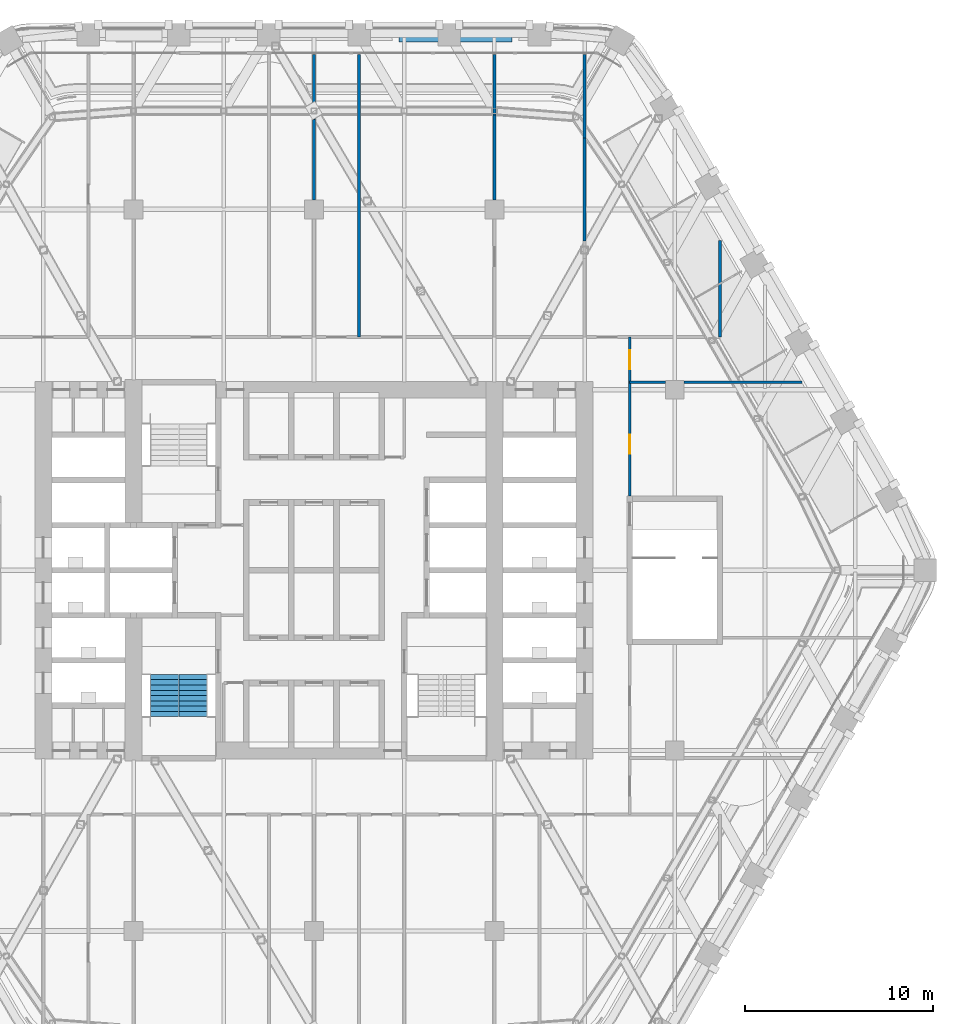
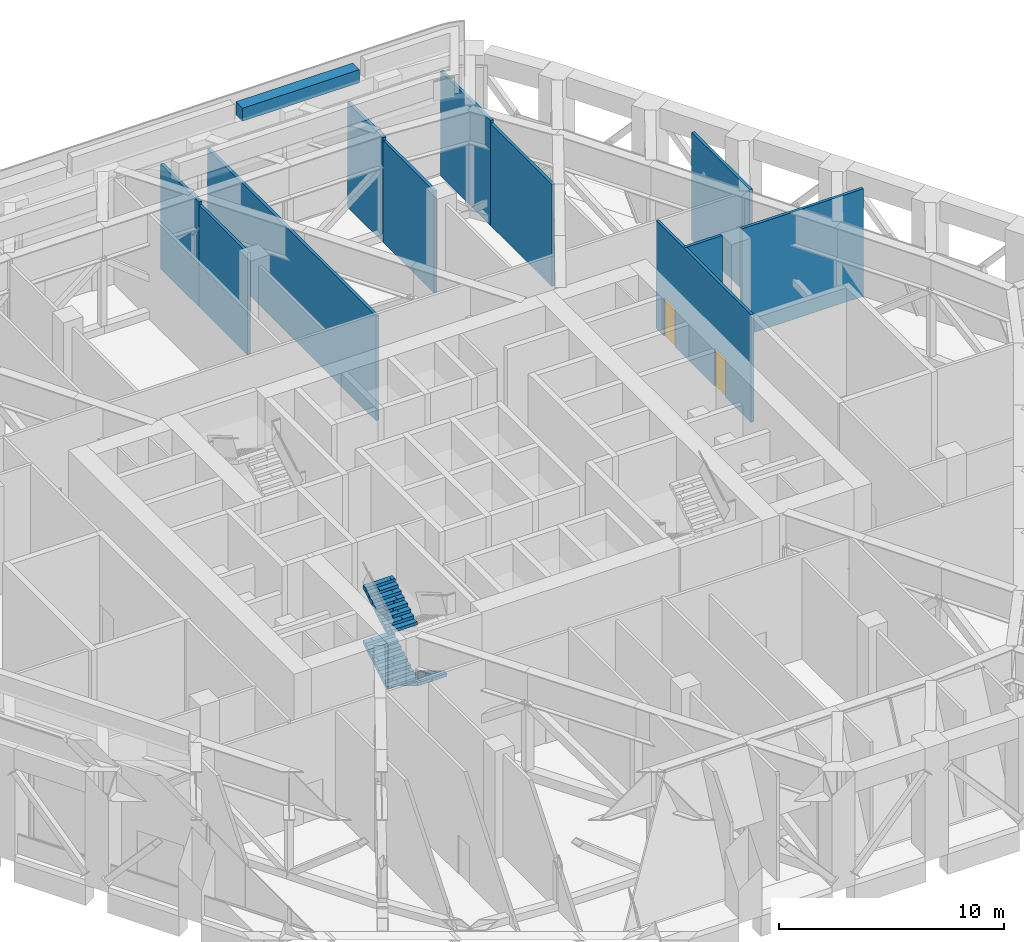
# One storey, part 20 of 27: 12 walls, 3 stair flights, 2 doors, 2 openings, 1 element without a shape of its own.
"""IFC4 building model written with IfcOpenShell, lengths in metres."""

from ifc_helpers import new_model, si_unit, direction, frame, frame_2d, origin, place, context, subcontext, project, spatial, polyline, rectangle, outline, extrude, material, layer, layer_set, type_object, element, fill, aggregate, save


model = new_model("IFC4")

# Units and contexts
model_context = context("Model", 3, precision=1e-05, world=origin(), true_north=direction((0.0, 1.0)))
body_context = subcontext(model_context, "Body", "Model", "MODEL_VIEW")
ifc_project = project(units=[si_unit("LENGTHUNIT", "METRE"), si_unit("AREAUNIT", "SQUARE_METRE"), si_unit("VOLUMEUNIT", "CUBIC_METRE"), si_unit("PLANEANGLEUNIT", "RADIAN"), si_unit("MASSUNIT", "GRAM", prefix="KILO")], contexts=[model_context])

# Site, building, storey
site_placement = place(None, origin())
site = spatial("IfcSite", under=ifc_project, at=site_placement, CompositionType="ELEMENT")
building_placement = place(site_placement, origin())
building = spatial("IfcBuilding", under=site, at=building_placement, Name="Kolab Exchange Tower", CompositionType="ELEMENT")
storey_placement = place(building_placement, frame((0.0, 0.0, 127.39990234375)))
storey = spatial("IfcBuildingStorey", under=building, at=storey_placement, Name="L25", CompositionType="ELEMENT", Elevation=127.39990234375)

# Wall
ifc_material_1 = material(Name="Gypsum board", Category="gypsum")
ifc_layer_1 = layer(ifc_material_1, 0.14990234375)
ifc_layer_set_1 = layer_set([ifc_layer_1], Name="Gypsum board")
wall_type_1 = type_object("IfcWallType", Name="PARTITION 150 FIRE-RATED", PredefinedType="PARTITIONING", material=ifc_layer_set_1)
wall_1_placement = place(storey_placement, frame((21.60009765625, 12.39990234375, 0.0), z_axis=(0.0, 0.0, 1.0), x_axis=(0.0, 1.0, 0.0)))
element("IfcWall", 1, at=wall_1_placement, inside=storey, type_object=wall_type_1, Name="Partition 001", PredefinedType="PARTITIONING", context=body_context, shape_type="SweptSolid", body=[
    extrude(rectangle(XDim=5.144775390625, YDim=0.14990234375, at=frame_2d((2.572265625, 0.0))), origin(), (0.0, 0.0, 1.0), 5.85009765625),
])

# Wall, openings, doors
wall_2_placement = place(storey_placement, frame((16.800048828125, 3.949951171875, 0.0), z_axis=(0.0, 0.0, 1.0), x_axis=(0.0, 1.0, 0.0)))
wall_2 = element("IfcWall", 2, at=wall_2_placement, inside=storey, type_object=wall_type_1, Name="Partition 003", PredefinedType="PARTITIONING", context=body_context, shape_type="SweptSolid", body=[
    extrude(rectangle(XDim=8.449951171875, YDim=0.14990234375, at=frame_2d((4.22509765625, 0.0))), origin(), (0.0, 0.0, 1.0), 5.85009765625),
])
opening_1_placement = place(wall_2_placement, frame((2.25, 0.0, 0.0)))
opening_1 = element("IfcOpeningElement", 3, at=opening_1_placement, cuts=wall_2, Name="Opening D1-378", PredefinedType="OPENING", context=body_context, shape_type="SweptSolid", body=[
    extrude(rectangle(XDim=1.0, YDim=2.10009765625, at=frame_2d((0.5, 1.050048828125))), frame((0.0, 0.0849609375, 0.0), z_axis=(0.0, -1.0, 0.0), x_axis=(1.0, 0.0, 0.0)), (0.0, 0.0, 1.0), 0.169921875),
])
opening_2_placement = place(wall_2_placement, frame((6.75, 0.0, 0.0)))
opening_2 = element("IfcOpeningElement", 4, at=opening_2_placement, cuts=wall_2, Name="Opening D1-379", PredefinedType="OPENING", context=body_context, shape_type="SweptSolid", body=[
    extrude(rectangle(XDim=1.0, YDim=2.10009765625, at=frame_2d((0.5, 1.050048828125))), frame((0.0, 0.0849609375, 0.0), z_axis=(0.0, -1.0, 0.0), x_axis=(1.0, 0.0, 0.0)), (0.0, 0.0, 1.0), 0.169921875),
])
ifc_material_2 = material(Name="Steel S235", Category="steel")
door_type = type_object("IfcDoorType", Name="FLUSH DOOR 1000 FD60", OperationType="SINGLE_SWING_LEFT", PredefinedType="DOOR", material=ifc_material_2)
door_1_placement = place(opening_1_placement, frame((1.0, 0.0, 0.0), z_axis=(0.0, 0.0, 1.0), x_axis=(-1.0, 0.0, 0.0)))
door_1 = element("IfcDoor", 5, at=door_1_placement, inside=storey, type_object=door_type, Name="Door L25-071", OperationType="SINGLE_SWING_LEFT", OverallHeight=2.10009765625, OverallWidth=1.0, PredefinedType="DOOR", context=body_context, shape_type="SweptSolid", body=[
    extrude(rectangle(XDim=1.0, YDim=2.10009765625, at=frame_2d((0.5, 1.050048828125))), frame((0.0, 0.02490234375, 0.0), z_axis=(0.0, -1.0, 0.0), x_axis=(1.0, 0.0, 0.0)), (0.0, 0.0, 1.0), 0.050048828125),
])
fill(opening_1, door_1)
door_2_placement = place(opening_2_placement, frame((1.0, 0.0, 0.0), z_axis=(0.0, 0.0, 1.0), x_axis=(-1.0, 0.0, 0.0)))
door_2 = element("IfcDoor", 6, at=door_2_placement, inside=storey, type_object=door_type, Name="Door L25-072", OperationType="SINGLE_SWING_LEFT", OverallHeight=2.10009765625, OverallWidth=1.0, PredefinedType="DOOR", context=body_context, shape_type="SweptSolid", body=[
    extrude(rectangle(XDim=1.0, YDim=2.10009765625, at=frame_2d((0.5, 1.050048828125))), frame((0.0, 0.02490234375, 0.0), z_axis=(0.0, -1.0, 0.0), x_axis=(1.0, 0.0, 0.0)), (0.0, 0.0, 1.0), 0.050048828125),
])
fill(opening_2, door_2)

# Walls
wall_3_placement = place(storey_placement, frame((14.39990234375, 17.51220703125, 0.0), z_axis=(0.0, 0.0, 1.0), x_axis=(0.0, 1.0, 0.0)))
element("IfcWall", 7, at=wall_3_placement, inside=storey, type_object=wall_type_1, Name="Partition 004", PredefinedType="PARTITIONING", context=body_context, shape_type="SweptSolid", body=[
    extrude(rectangle(XDim=5.4892578125, YDim=0.14990234375, at=frame_2d((2.74462890625, 0.0))), origin(), (0.0, 0.0, 1.0), 5.5400390625),
])
wall_4_placement = place(storey_placement, frame((14.39990234375, 23.00146484375, 0.0), z_axis=(0.0, 0.0, 1.0), x_axis=(0.0, 1.0, 0.0)))
element("IfcWall", 8, at=wall_4_placement, inside=storey, type_object=wall_type_1, Name="Partition 004", PredefinedType="PARTITIONING", context=body_context, shape_type="SweptSolid", body=[
    extrude(rectangle(XDim=4.427001953125, YDim=0.14990234375, at=frame_2d((2.21337890625, 0.0))), origin(), (0.0, 0.0, 1.0), 5.7001953125),
])
wall_5_placement = place(storey_placement, frame((9.60009765625, 19.699951171875, 0.0), z_axis=(0.0, 0.0, 1.0), x_axis=(0.0, 1.0, 0.0)))
element("IfcWall", 9, at=wall_5_placement, inside=storey, type_object=wall_type_1, Name="Partition 011", PredefinedType="PARTITIONING", context=body_context, shape_type="SweptSolid", body=[
    extrude(rectangle(XDim=4.53076171875, YDim=0.14990234375, at=frame_2d((2.265380859375, 0.0))), origin(), (0.0, 0.0, 1.0), 5.5400390625),
])
wall_6_placement = place(storey_placement, frame((9.60009765625, 24.230712890625, 0.0), z_axis=(0.0, 0.0, 1.0), x_axis=(0.0, 1.0, 0.0)))
element("IfcWall", 10, at=wall_6_placement, inside=storey, type_object=wall_type_1, Name="Partition 011", PredefinedType="PARTITIONING", context=body_context, shape_type="SweptSolid", body=[
    extrude(rectangle(XDim=3.19775390625, YDim=0.14990234375, at=frame_2d((1.598876953125, 0.0))), origin(), (0.0, 0.0, 1.0), 5.7001953125),
])
wall_7_placement = place(storey_placement, frame((2.39990234375, 12.39990234375, 0.0), z_axis=(0.0, 0.0, 1.0), x_axis=(0.0, 1.0, 0.0)))
element("IfcWall", 11, at=wall_7_placement, inside=storey, type_object=wall_type_1, Name="Partition 015", PredefinedType="PARTITIONING", context=body_context, shape_type="SweptSolid", body=[
    extrude(rectangle(XDim=15.028564453125, YDim=0.14990234375, at=frame_2d((7.51416015625, 0.0))), origin(), (0.0, 0.0, 1.0), 5.7001953125),
])
wall_8_placement = place(storey_placement, frame((0.0, 19.699951171875, 0.0), z_axis=(0.0, 0.0, 1.0), x_axis=(0.0, 1.0, 0.0)))
element("IfcWall", 12, at=wall_8_placement, inside=storey, type_object=wall_type_1, Name="Partition 019", PredefinedType="PARTITIONING", context=body_context, shape_type="SweptSolid", body=[
    extrude(rectangle(XDim=4.29052734375, YDim=0.14990234375, at=frame_2d((2.145263671875, 0.0))), origin(), (0.0, 0.0, 1.0), 5.5400390625),
])
wall_9_placement = place(storey_placement, frame((0.0, 23.990478515625, 0.0), z_axis=(0.0, 0.0, 1.0), x_axis=(0.0, 1.0, 0.0)))
element("IfcWall", 13, at=wall_9_placement, inside=storey, type_object=wall_type_1, Name="Partition 019", PredefinedType="PARTITIONING", context=body_context, shape_type="SweptSolid", body=[
    extrude(rectangle(XDim=3.43798828125, YDim=0.14990234375, at=frame_2d((1.718994140625, 0.0))), origin(), (0.0, 0.0, 1.0), 5.7001953125),
])
wall_10_placement = place(storey_placement, frame((16.800048828125, 10.0, 0.0), z_axis=(0.0, 0.0, 1.0), x_axis=(1.0, 0.0, 0.0)))
element("IfcWall", 14, at=wall_10_placement, inside=storey, type_object=wall_type_1, Name="Partition 049", PredefinedType="PARTITIONING", context=body_context, shape_type="SweptSolid", body=[
    extrude(rectangle(XDim=1.89990234375, YDim=0.14990234375, at=frame_2d((0.949951171875, 0.0))), origin(), (0.0, 0.0, 1.0), 5.85009765625),
])
wall_11_placement = place(storey_placement, frame((19.699951171875, 10.0, 0.0), z_axis=(0.0, 0.0, 1.0), x_axis=(1.0, 0.0, 0.0)))
element("IfcWall", 15, at=wall_11_placement, inside=storey, type_object=wall_type_1, Name="Partition 050", PredefinedType="PARTITIONING", context=body_context, shape_type="SweptSolid", body=[
    extrude(rectangle(XDim=6.255859375, YDim=0.14990234375, at=frame_2d((3.1279296875, 0.0))), origin(), (0.0, 0.0, 1.0), 5.85009765625),
])
ifc_material_3 = material(Name="Granite facing", Category="masonry")
ifc_layer_2 = layer(ifc_material_3, 0.0400390625)
ifc_material_4 = material(Name="Concrete C40/50 precast", Category="concrete")
ifc_layer_3 = layer(ifc_material_4, 0.56005859375)
ifc_layer_set_2 = layer_set([ifc_layer_2, ifc_layer_3], Name="Concrete C40/50 precast")
wall_type_2 = type_object("IfcWallType", Name="PLANTER BOX 600 X 700 SOIL DEPTH 550", PredefinedType="USERDEFINED", material=ifc_layer_set_2)
wall_12_placement = place(storey_placement, frame((4.533935546875, 28.3984375, 6.0), z_axis=(0.0, 0.0, 1.0), x_axis=(1.0, 0.0, 0.0)))
element("IfcWall", 16, at=wall_12_placement, inside=storey, type_object=wall_type_2, Name="Planter", ObjectType="PLANTER", PredefinedType="USERDEFINED", context=body_context, shape_type="SweptSolid", body=[
    extrude(rectangle(XDim=6.0, YDim=0.60009765625, at=frame_2d((3.0, 0.0))), origin(), (0.0, 0.0, 1.0), 0.7001953125),
])

# Stair, stair flights
ifc_material_5 = material(Name="Concrete C50/60", Category="concrete")
stair_type = type_object("IfcStairType", Name="STAIR ST3 RISER 166.7", PredefinedType="DOUBLE_RETURN_STAIR", material=ifc_material_5)
stair_placement = place(storey_placement, origin())
stair = element("IfcStair", 17, at=stair_placement, inside=storey, type_object=stair_type, Name="Stair 3", PredefinedType="DOUBLE_RETURN_STAIR")
stair_flight_type = type_object("IfcStairFlightType", Name="STAIR FLIGHT 1500 RISER 166.7", PredefinedType="STRAIGHT", material=ifc_material_5)
stair_flight_1_placement = place(storey_placement, frame((-6.43994140625, -5.550048828125, 0.0), z_axis=(0.0, 0.0, 1.0), x_axis=(0.0, -1.0, 0.0)))
stair_flight_1 = element("IfcStairFlight", 18, at=stair_flight_1_placement, type_object=stair_flight_type, Name="ST3 flight 1", NumberOfRisers=9, NumberOfTreads=8, PredefinedType="STRAIGHT", RiserHeight=0.166666667, TreadLength=0.28, context=body_context, shape_type="SweptSolid", body=[
    extrude(outline(polyline([(0.0, 0.0), (0.0, 0.166748046875), (0.280029296875, 0.166748046875), (0.280029296875, 0.333251953125), (0.56005859375, 0.333251953125), (0.56005859375, 0.5), (0.840087890625, 0.5), (0.840087890625, 0.666748046875), (1.1201171875, 0.666748046875), (1.1201171875, 0.833251953125), (1.39990234375, 0.833251953125), (1.39990234375, 1.0), (1.679931640625, 1.0), (1.679931640625, 1.166748046875), (1.9599609375, 1.166748046875), (1.9599609375, 1.333251953125), (2.239990234375, 1.333251953125), (2.239990234375, 1.5), (2.239990234375, 1.158935546875), (0.29296875, 0.0), (0.0, 0.0)])), frame((0.0, 0.75, 0.0), z_axis=(0.0, -1.0, 0.0), x_axis=(1.0, 0.0, 0.0)), (0.0, 0.0, 1.0), 0.185791015625),
    extrude(outline(polyline([(0.0, 0.0), (0.0, 0.166748046875), (0.280029296875, 0.166748046875), (0.280029296875, 0.333251953125), (0.56005859375, 0.333251953125), (0.56005859375, 0.5), (0.840087890625, 0.5), (0.840087890625, 0.666748046875), (1.1201171875, 0.666748046875), (1.1201171875, 0.833251953125), (1.39990234375, 0.833251953125), (1.39990234375, 1.0), (1.679931640625, 1.0), (1.679931640625, 1.166748046875), (1.9599609375, 1.166748046875), (1.9599609375, 1.333251953125), (2.239990234375, 1.333251953125), (2.239990234375, 1.5), (2.239990234375, 1.158935546875), (0.29296875, 0.0), (0.0, 0.0)])), frame((0.0, 0.562255859375, 0.0), z_axis=(0.0, -1.0, 0.0), x_axis=(1.0, 0.0, 0.0)), (0.0, 0.0, 1.0), 0.185791015625),
    extrude(outline(polyline([(0.0, 0.0), (0.0, 0.166748046875), (0.280029296875, 0.166748046875), (0.280029296875, 0.333251953125), (0.56005859375, 0.333251953125), (0.56005859375, 0.5), (0.840087890625, 0.5), (0.840087890625, 0.666748046875), (1.1201171875, 0.666748046875), (1.1201171875, 0.833251953125), (1.39990234375, 0.833251953125), (1.39990234375, 1.0), (1.679931640625, 1.0), (1.679931640625, 1.166748046875), (1.9599609375, 1.166748046875), (1.9599609375, 1.333251953125), (2.239990234375, 1.333251953125), (2.239990234375, 1.5), (2.239990234375, 1.158935546875), (0.29296875, 0.0), (0.0, 0.0)])), frame((0.0, 0.37451171875, 0.0), z_axis=(0.0, -1.0, 0.0), x_axis=(1.0, 0.0, 0.0)), (0.0, 0.0, 1.0), 0.185791015625),
    extrude(outline(polyline([(0.0, 0.0), (0.0, 0.166748046875), (0.280029296875, 0.166748046875), (0.280029296875, 0.333251953125), (0.56005859375, 0.333251953125), (0.56005859375, 0.5), (0.840087890625, 0.5), (0.840087890625, 0.666748046875), (1.1201171875, 0.666748046875), (1.1201171875, 0.833251953125), (1.39990234375, 0.833251953125), (1.39990234375, 1.0), (1.679931640625, 1.0), (1.679931640625, 1.166748046875), (1.9599609375, 1.166748046875), (1.9599609375, 1.333251953125), (2.239990234375, 1.333251953125), (2.239990234375, 1.5), (2.239990234375, 1.158935546875), (0.29296875, 0.0), (0.0, 0.0)])), frame((0.0, 0.186767578125, 0.0), z_axis=(0.0, -1.0, 0.0), x_axis=(1.0, 0.0, 0.0)), (0.0, 0.0, 1.0), 0.185791015625),
    extrude(outline(polyline([(0.0, 0.0), (0.0, 0.166748046875), (0.280029296875, 0.166748046875), (0.280029296875, 0.333251953125), (0.56005859375, 0.333251953125), (0.56005859375, 0.5), (0.840087890625, 0.5), (0.840087890625, 0.666748046875), (1.1201171875, 0.666748046875), (1.1201171875, 0.833251953125), (1.39990234375, 0.833251953125), (1.39990234375, 1.0), (1.679931640625, 1.0), (1.679931640625, 1.166748046875), (1.9599609375, 1.166748046875), (1.9599609375, 1.333251953125), (2.239990234375, 1.333251953125), (2.239990234375, 1.5), (2.239990234375, 1.158935546875), (0.29296875, 0.0), (0.0, 0.0)])), frame((0.0, -0.0009765625, 0.0), z_axis=(0.0, -1.0, 0.0), x_axis=(1.0, 0.0, 0.0)), (0.0, 0.0, 1.0), 0.185791015625),
    extrude(outline(polyline([(0.0, 0.0), (0.0, 0.166748046875), (0.280029296875, 0.166748046875), (0.280029296875, 0.333251953125), (0.56005859375, 0.333251953125), (0.56005859375, 0.5), (0.840087890625, 0.5), (0.840087890625, 0.666748046875), (1.1201171875, 0.666748046875), (1.1201171875, 0.833251953125), (1.39990234375, 0.833251953125), (1.39990234375, 1.0), (1.679931640625, 1.0), (1.679931640625, 1.166748046875), (1.9599609375, 1.166748046875), (1.9599609375, 1.333251953125), (2.239990234375, 1.333251953125), (2.239990234375, 1.5), (2.239990234375, 1.158935546875), (0.29296875, 0.0), (0.0, 0.0)])), frame((0.0, -0.188720703125, 0.0), z_axis=(0.0, -1.0, 0.0), x_axis=(1.0, 0.0, 0.0)), (0.0, 0.0, 1.0), 0.185791015625),
    extrude(outline(polyline([(0.0, 0.0), (0.0, 0.166748046875), (0.280029296875, 0.166748046875), (0.280029296875, 0.333251953125), (0.56005859375, 0.333251953125), (0.56005859375, 0.5), (0.840087890625, 0.5), (0.840087890625, 0.666748046875), (1.1201171875, 0.666748046875), (1.1201171875, 0.833251953125), (1.39990234375, 0.833251953125), (1.39990234375, 1.0), (1.679931640625, 1.0), (1.679931640625, 1.166748046875), (1.9599609375, 1.166748046875), (1.9599609375, 1.333251953125), (2.239990234375, 1.333251953125), (2.239990234375, 1.5), (2.239990234375, 1.158935546875), (0.29296875, 0.0), (0.0, 0.0)])), frame((0.0, -0.37646484375, 0.0), z_axis=(0.0, -1.0, 0.0), x_axis=(1.0, 0.0, 0.0)), (0.0, 0.0, 1.0), 0.185791015625),
    extrude(outline(polyline([(0.0, 0.0), (0.0, 0.166748046875), (0.280029296875, 0.166748046875), (0.280029296875, 0.333251953125), (0.56005859375, 0.333251953125), (0.56005859375, 0.5), (0.840087890625, 0.5), (0.840087890625, 0.666748046875), (1.1201171875, 0.666748046875), (1.1201171875, 0.833251953125), (1.39990234375, 0.833251953125), (1.39990234375, 1.0), (1.679931640625, 1.0), (1.679931640625, 1.166748046875), (1.9599609375, 1.166748046875), (1.9599609375, 1.333251953125), (2.239990234375, 1.333251953125), (2.239990234375, 1.5), (2.239990234375, 1.158935546875), (0.29296875, 0.0), (0.0, 0.0)])), frame((0.0, -0.564208984375, 0.0), z_axis=(0.0, -1.0, 0.0), x_axis=(1.0, 0.0, 0.0)), (0.0, 0.0, 1.0), 0.185791015625),
])
stair_flight_2_placement = place(storey_placement, frame((-7.9599609375, -7.7900390625, 1.5), z_axis=(0.0, 0.0, 1.0), x_axis=(0.0, 1.0, 0.0)))
stair_flight_2 = element("IfcStairFlight", 19, at=stair_flight_2_placement, type_object=stair_flight_type, Name="ST3 flight 2", NumberOfRisers=9, NumberOfTreads=8, PredefinedType="STRAIGHT", RiserHeight=0.166666667, TreadLength=0.28, context=body_context, shape_type="SweptSolid", body=[
    extrude(outline(polyline([(0.0, 0.0), (0.0, 0.166748046875), (0.280029296875, 0.166748046875), (0.280029296875, 0.333251953125), (0.56005859375, 0.333251953125), (0.56005859375, 0.5), (0.840087890625, 0.5), (0.840087890625, 0.666748046875), (1.1201171875, 0.666748046875), (1.1201171875, 0.833251953125), (1.39990234375, 0.833251953125), (1.39990234375, 1.0), (1.679931640625, 1.0), (1.679931640625, 1.166748046875), (1.9599609375, 1.166748046875), (1.9599609375, 1.333251953125), (2.239990234375, 1.333251953125), (2.239990234375, 1.5), (2.239990234375, 1.158935546875), (0.29296875, 0.0), (0.0, 0.0)])), frame((0.0, 0.75, 0.0), z_axis=(0.0, -1.0, 0.0), x_axis=(1.0, 0.0, 0.0)), (0.0, 0.0, 1.0), 0.185791015625),
    extrude(outline(polyline([(0.0, 0.0), (0.0, 0.166748046875), (0.280029296875, 0.166748046875), (0.280029296875, 0.333251953125), (0.56005859375, 0.333251953125), (0.56005859375, 0.5), (0.840087890625, 0.5), (0.840087890625, 0.666748046875), (1.1201171875, 0.666748046875), (1.1201171875, 0.833251953125), (1.39990234375, 0.833251953125), (1.39990234375, 1.0), (1.679931640625, 1.0), (1.679931640625, 1.166748046875), (1.9599609375, 1.166748046875), (1.9599609375, 1.333251953125), (2.239990234375, 1.333251953125), (2.239990234375, 1.5), (2.239990234375, 1.158935546875), (0.29296875, 0.0), (0.0, 0.0)])), frame((0.0, 0.562255859375, 0.0), z_axis=(0.0, -1.0, 0.0), x_axis=(1.0, 0.0, 0.0)), (0.0, 0.0, 1.0), 0.185791015625),
    extrude(outline(polyline([(0.0, 0.0), (0.0, 0.166748046875), (0.280029296875, 0.166748046875), (0.280029296875, 0.333251953125), (0.56005859375, 0.333251953125), (0.56005859375, 0.5), (0.840087890625, 0.5), (0.840087890625, 0.666748046875), (1.1201171875, 0.666748046875), (1.1201171875, 0.833251953125), (1.39990234375, 0.833251953125), (1.39990234375, 1.0), (1.679931640625, 1.0), (1.679931640625, 1.166748046875), (1.9599609375, 1.166748046875), (1.9599609375, 1.333251953125), (2.239990234375, 1.333251953125), (2.239990234375, 1.5), (2.239990234375, 1.158935546875), (0.29296875, 0.0), (0.0, 0.0)])), frame((0.0, 0.37451171875, 0.0), z_axis=(0.0, -1.0, 0.0), x_axis=(1.0, 0.0, 0.0)), (0.0, 0.0, 1.0), 0.185791015625),
    extrude(outline(polyline([(0.0, 0.0), (0.0, 0.166748046875), (0.280029296875, 0.166748046875), (0.280029296875, 0.333251953125), (0.56005859375, 0.333251953125), (0.56005859375, 0.5), (0.840087890625, 0.5), (0.840087890625, 0.666748046875), (1.1201171875, 0.666748046875), (1.1201171875, 0.833251953125), (1.39990234375, 0.833251953125), (1.39990234375, 1.0), (1.679931640625, 1.0), (1.679931640625, 1.166748046875), (1.9599609375, 1.166748046875), (1.9599609375, 1.333251953125), (2.239990234375, 1.333251953125), (2.239990234375, 1.5), (2.239990234375, 1.158935546875), (0.29296875, 0.0), (0.0, 0.0)])), frame((0.0, 0.186767578125, 0.0), z_axis=(0.0, -1.0, 0.0), x_axis=(1.0, 0.0, 0.0)), (0.0, 0.0, 1.0), 0.185791015625),
    extrude(outline(polyline([(0.0, 0.0), (0.0, 0.166748046875), (0.280029296875, 0.166748046875), (0.280029296875, 0.333251953125), (0.56005859375, 0.333251953125), (0.56005859375, 0.5), (0.840087890625, 0.5), (0.840087890625, 0.666748046875), (1.1201171875, 0.666748046875), (1.1201171875, 0.833251953125), (1.39990234375, 0.833251953125), (1.39990234375, 1.0), (1.679931640625, 1.0), (1.679931640625, 1.166748046875), (1.9599609375, 1.166748046875), (1.9599609375, 1.333251953125), (2.239990234375, 1.333251953125), (2.239990234375, 1.5), (2.239990234375, 1.158935546875), (0.29296875, 0.0), (0.0, 0.0)])), frame((0.0, -0.0009765625, 0.0), z_axis=(0.0, -1.0, 0.0), x_axis=(1.0, 0.0, 0.0)), (0.0, 0.0, 1.0), 0.185791015625),
    extrude(outline(polyline([(0.0, 0.0), (0.0, 0.166748046875), (0.280029296875, 0.166748046875), (0.280029296875, 0.333251953125), (0.56005859375, 0.333251953125), (0.56005859375, 0.5), (0.840087890625, 0.5), (0.840087890625, 0.666748046875), (1.1201171875, 0.666748046875), (1.1201171875, 0.833251953125), (1.39990234375, 0.833251953125), (1.39990234375, 1.0), (1.679931640625, 1.0), (1.679931640625, 1.166748046875), (1.9599609375, 1.166748046875), (1.9599609375, 1.333251953125), (2.239990234375, 1.333251953125), (2.239990234375, 1.5), (2.239990234375, 1.158935546875), (0.29296875, 0.0), (0.0, 0.0)])), frame((0.0, -0.188720703125, 0.0), z_axis=(0.0, -1.0, 0.0), x_axis=(1.0, 0.0, 0.0)), (0.0, 0.0, 1.0), 0.185791015625),
    extrude(outline(polyline([(0.0, 0.0), (0.0, 0.166748046875), (0.280029296875, 0.166748046875), (0.280029296875, 0.333251953125), (0.56005859375, 0.333251953125), (0.56005859375, 0.5), (0.840087890625, 0.5), (0.840087890625, 0.666748046875), (1.1201171875, 0.666748046875), (1.1201171875, 0.833251953125), (1.39990234375, 0.833251953125), (1.39990234375, 1.0), (1.679931640625, 1.0), (1.679931640625, 1.166748046875), (1.9599609375, 1.166748046875), (1.9599609375, 1.333251953125), (2.239990234375, 1.333251953125), (2.239990234375, 1.5), (2.239990234375, 1.158935546875), (0.29296875, 0.0), (0.0, 0.0)])), frame((0.0, -0.37646484375, 0.0), z_axis=(0.0, -1.0, 0.0), x_axis=(1.0, 0.0, 0.0)), (0.0, 0.0, 1.0), 0.185791015625),
    extrude(outline(polyline([(0.0, 0.0), (0.0, 0.166748046875), (0.280029296875, 0.166748046875), (0.280029296875, 0.333251953125), (0.56005859375, 0.333251953125), (0.56005859375, 0.5), (0.840087890625, 0.5), (0.840087890625, 0.666748046875), (1.1201171875, 0.666748046875), (1.1201171875, 0.833251953125), (1.39990234375, 0.833251953125), (1.39990234375, 1.0), (1.679931640625, 1.0), (1.679931640625, 1.166748046875), (1.9599609375, 1.166748046875), (1.9599609375, 1.333251953125), (2.239990234375, 1.333251953125), (2.239990234375, 1.5), (2.239990234375, 1.158935546875), (0.29296875, 0.0), (0.0, 0.0)])), frame((0.0, -0.564208984375, 0.0), z_axis=(0.0, -1.0, 0.0), x_axis=(1.0, 0.0, 0.0)), (0.0, 0.0, 1.0), 0.185791015625),
])
stair_flight_3_placement = place(storey_placement, frame((-7.9599609375, -7.7900390625, 4.5), z_axis=(0.0, 0.0, 1.0), x_axis=(0.0, 1.0, 0.0)))
stair_flight_3 = element("IfcStairFlight", 20, at=stair_flight_3_placement, type_object=stair_flight_type, Name="ST3 flight 4", NumberOfRisers=9, NumberOfTreads=8, PredefinedType="STRAIGHT", RiserHeight=0.166666667, TreadLength=0.28, context=body_context, shape_type="SweptSolid", body=[
    extrude(outline(polyline([(0.0, 0.0), (0.0, 0.166748046875), (0.280029296875, 0.166748046875), (0.280029296875, 0.333251953125), (0.56005859375, 0.333251953125), (0.56005859375, 0.5), (0.840087890625, 0.5), (0.840087890625, 0.666748046875), (1.1201171875, 0.666748046875), (1.1201171875, 0.833251953125), (1.39990234375, 0.833251953125), (1.39990234375, 1.0), (1.679931640625, 1.0), (1.679931640625, 1.166748046875), (1.9599609375, 1.166748046875), (1.9599609375, 1.333251953125), (2.239990234375, 1.333251953125), (2.239990234375, 1.5), (2.239990234375, 1.158935546875), (0.29296875, 0.0), (0.0, 0.0)])), frame((0.0, 0.75, 0.0), z_axis=(0.0, -1.0, 0.0), x_axis=(1.0, 0.0, 0.0)), (0.0, 0.0, 1.0), 0.185791015625),
    extrude(outline(polyline([(0.0, 0.0), (0.0, 0.166748046875), (0.280029296875, 0.166748046875), (0.280029296875, 0.333251953125), (0.56005859375, 0.333251953125), (0.56005859375, 0.5), (0.840087890625, 0.5), (0.840087890625, 0.666748046875), (1.1201171875, 0.666748046875), (1.1201171875, 0.833251953125), (1.39990234375, 0.833251953125), (1.39990234375, 1.0), (1.679931640625, 1.0), (1.679931640625, 1.166748046875), (1.9599609375, 1.166748046875), (1.9599609375, 1.333251953125), (2.239990234375, 1.333251953125), (2.239990234375, 1.5), (2.239990234375, 1.158935546875), (0.29296875, 0.0), (0.0, 0.0)])), frame((0.0, 0.562255859375, 0.0), z_axis=(0.0, -1.0, 0.0), x_axis=(1.0, 0.0, 0.0)), (0.0, 0.0, 1.0), 0.185791015625),
    extrude(outline(polyline([(0.0, 0.0), (0.0, 0.166748046875), (0.280029296875, 0.166748046875), (0.280029296875, 0.333251953125), (0.56005859375, 0.333251953125), (0.56005859375, 0.5), (0.840087890625, 0.5), (0.840087890625, 0.666748046875), (1.1201171875, 0.666748046875), (1.1201171875, 0.833251953125), (1.39990234375, 0.833251953125), (1.39990234375, 1.0), (1.679931640625, 1.0), (1.679931640625, 1.166748046875), (1.9599609375, 1.166748046875), (1.9599609375, 1.333251953125), (2.239990234375, 1.333251953125), (2.239990234375, 1.5), (2.239990234375, 1.158935546875), (0.29296875, 0.0), (0.0, 0.0)])), frame((0.0, 0.37451171875, 0.0), z_axis=(0.0, -1.0, 0.0), x_axis=(1.0, 0.0, 0.0)), (0.0, 0.0, 1.0), 0.185791015625),
    extrude(outline(polyline([(0.0, 0.0), (0.0, 0.166748046875), (0.280029296875, 0.166748046875), (0.280029296875, 0.333251953125), (0.56005859375, 0.333251953125), (0.56005859375, 0.5), (0.840087890625, 0.5), (0.840087890625, 0.666748046875), (1.1201171875, 0.666748046875), (1.1201171875, 0.833251953125), (1.39990234375, 0.833251953125), (1.39990234375, 1.0), (1.679931640625, 1.0), (1.679931640625, 1.166748046875), (1.9599609375, 1.166748046875), (1.9599609375, 1.333251953125), (2.239990234375, 1.333251953125), (2.239990234375, 1.5), (2.239990234375, 1.158935546875), (0.29296875, 0.0), (0.0, 0.0)])), frame((0.0, 0.186767578125, 0.0), z_axis=(0.0, -1.0, 0.0), x_axis=(1.0, 0.0, 0.0)), (0.0, 0.0, 1.0), 0.185791015625),
    extrude(outline(polyline([(0.0, 0.0), (0.0, 0.166748046875), (0.280029296875, 0.166748046875), (0.280029296875, 0.333251953125), (0.56005859375, 0.333251953125), (0.56005859375, 0.5), (0.840087890625, 0.5), (0.840087890625, 0.666748046875), (1.1201171875, 0.666748046875), (1.1201171875, 0.833251953125), (1.39990234375, 0.833251953125), (1.39990234375, 1.0), (1.679931640625, 1.0), (1.679931640625, 1.166748046875), (1.9599609375, 1.166748046875), (1.9599609375, 1.333251953125), (2.239990234375, 1.333251953125), (2.239990234375, 1.5), (2.239990234375, 1.158935546875), (0.29296875, 0.0), (0.0, 0.0)])), frame((0.0, -0.0009765625, 0.0), z_axis=(0.0, -1.0, 0.0), x_axis=(1.0, 0.0, 0.0)), (0.0, 0.0, 1.0), 0.185791015625),
    extrude(outline(polyline([(0.0, 0.0), (0.0, 0.166748046875), (0.280029296875, 0.166748046875), (0.280029296875, 0.333251953125), (0.56005859375, 0.333251953125), (0.56005859375, 0.5), (0.840087890625, 0.5), (0.840087890625, 0.666748046875), (1.1201171875, 0.666748046875), (1.1201171875, 0.833251953125), (1.39990234375, 0.833251953125), (1.39990234375, 1.0), (1.679931640625, 1.0), (1.679931640625, 1.166748046875), (1.9599609375, 1.166748046875), (1.9599609375, 1.333251953125), (2.239990234375, 1.333251953125), (2.239990234375, 1.5), (2.239990234375, 1.158935546875), (0.29296875, 0.0), (0.0, 0.0)])), frame((0.0, -0.188720703125, 0.0), z_axis=(0.0, -1.0, 0.0), x_axis=(1.0, 0.0, 0.0)), (0.0, 0.0, 1.0), 0.185791015625),
    extrude(outline(polyline([(0.0, 0.0), (0.0, 0.166748046875), (0.280029296875, 0.166748046875), (0.280029296875, 0.333251953125), (0.56005859375, 0.333251953125), (0.56005859375, 0.5), (0.840087890625, 0.5), (0.840087890625, 0.666748046875), (1.1201171875, 0.666748046875), (1.1201171875, 0.833251953125), (1.39990234375, 0.833251953125), (1.39990234375, 1.0), (1.679931640625, 1.0), (1.679931640625, 1.166748046875), (1.9599609375, 1.166748046875), (1.9599609375, 1.333251953125), (2.239990234375, 1.333251953125), (2.239990234375, 1.5), (2.239990234375, 1.158935546875), (0.29296875, 0.0), (0.0, 0.0)])), frame((0.0, -0.37646484375, 0.0), z_axis=(0.0, -1.0, 0.0), x_axis=(1.0, 0.0, 0.0)), (0.0, 0.0, 1.0), 0.185791015625),
    extrude(outline(polyline([(0.0, 0.0), (0.0, 0.166748046875), (0.280029296875, 0.166748046875), (0.280029296875, 0.333251953125), (0.56005859375, 0.333251953125), (0.56005859375, 0.5), (0.840087890625, 0.5), (0.840087890625, 0.666748046875), (1.1201171875, 0.666748046875), (1.1201171875, 0.833251953125), (1.39990234375, 0.833251953125), (1.39990234375, 1.0), (1.679931640625, 1.0), (1.679931640625, 1.166748046875), (1.9599609375, 1.166748046875), (1.9599609375, 1.333251953125), (2.239990234375, 1.333251953125), (2.239990234375, 1.5), (2.239990234375, 1.158935546875), (0.29296875, 0.0), (0.0, 0.0)])), frame((0.0, -0.564208984375, 0.0), z_axis=(0.0, -1.0, 0.0), x_axis=(1.0, 0.0, 0.0)), (0.0, 0.0, 1.0), 0.185791015625),
])
aggregate(stair, [stair_flight_1, stair_flight_2, stair_flight_3])

save(model, "model.ifc")
